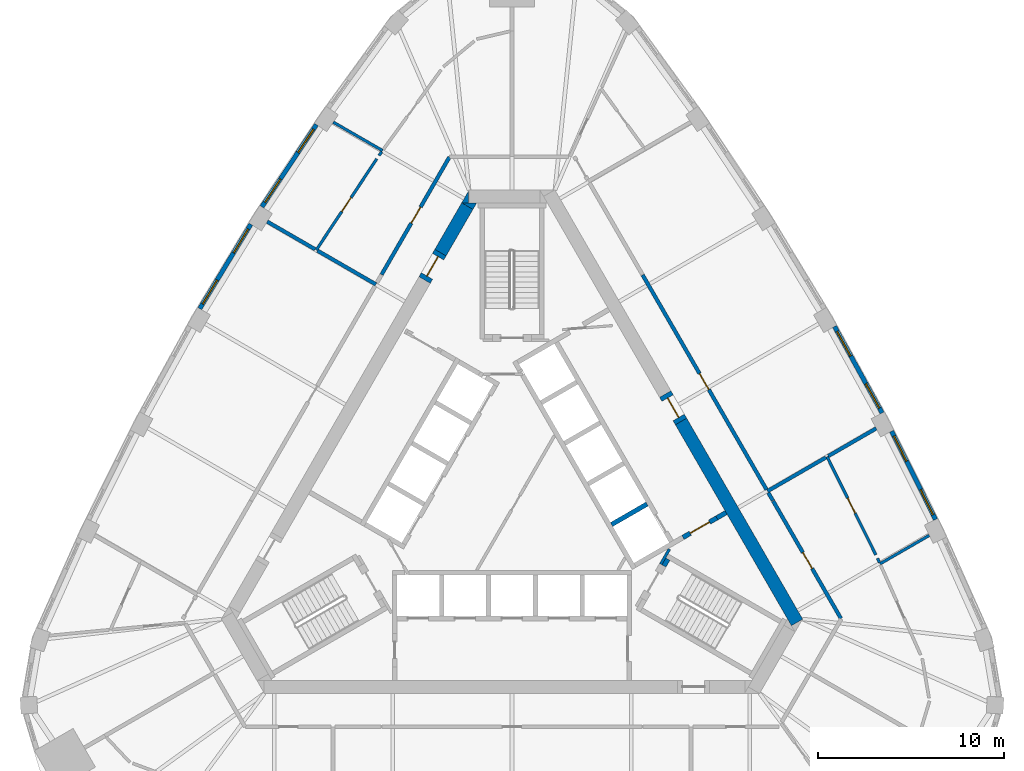
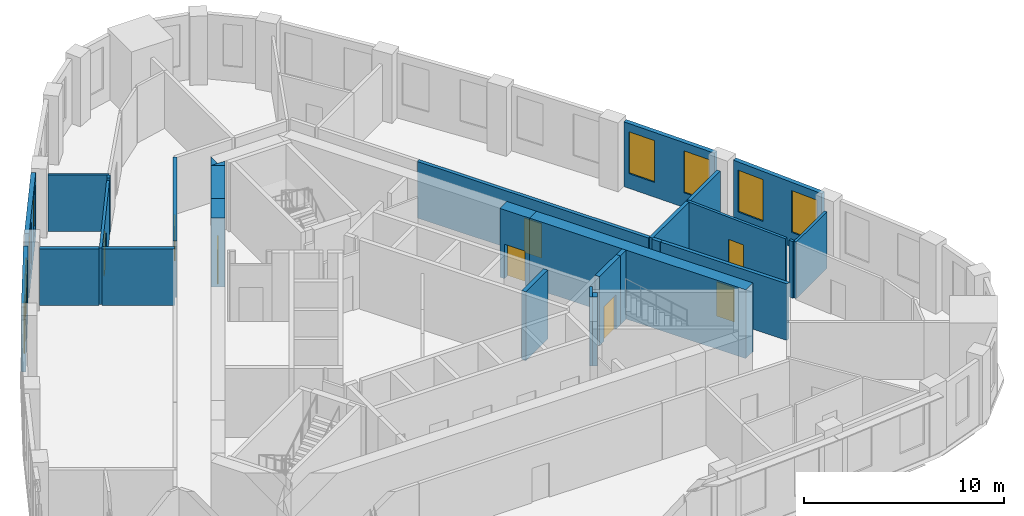
# One storey, part 7 of 10: 29 walls, 8 doors, 8 windows, 16 openings.
"""IFC4 building model written with IfcOpenShell, lengths in metres."""

from ifc_helpers import new_model, si_unit, direction, frame, frame_2d, origin, place, context, subcontext, project, spatial, polyline, rectangle, outline, extrude, material, layer, layer_set, type_object, element, fill, save


model = new_model("IFC4")

# Units and contexts
model_context = context("Model", 3, precision=1e-05, world=origin(), true_north=direction((0.0, 1.0)))
body_context = subcontext(model_context, "Body", "Model", "MODEL_VIEW")
ifc_project = project(units=[si_unit("LENGTHUNIT", "METRE"), si_unit("AREAUNIT", "SQUARE_METRE"), si_unit("VOLUMEUNIT", "CUBIC_METRE"), si_unit("PLANEANGLEUNIT", "RADIAN"), si_unit("MASSUNIT", "GRAM", prefix="KILO")], contexts=[model_context])

# Site, building, storey
site_placement = place(None, origin())
site = spatial("IfcSite", under=ifc_project, at=site_placement, CompositionType="ELEMENT")
building_placement = place(site_placement, origin())
building = spatial("IfcBuilding", under=site, at=building_placement, Name="Mestral Congress Tower", CompositionType="ELEMENT")
storey_placement = place(building_placement, frame((0.0, 0.0, 239.39990234375)))
storey = spatial("IfcBuildingStorey", under=building, at=storey_placement, Name="L56", CompositionType="ELEMENT", Elevation=239.39990234375)

# Walls
ifc_material_1 = material(Name="Concrete C60/75", Category="concrete")
ifc_layer_1 = layer(ifc_material_1, 0.699951171875)
ifc_layer_set_1 = layer_set([ifc_layer_1], Name="Concrete C60/75")
wall_type_1 = type_object("IfcWallType", Name="Core wall RC 700", PredefinedType="SOLIDWALL", material=ifc_layer_set_1)
wall_1_placement = place(storey_placement, frame((9.085205078125, 4.263916015625, 0.0), z_axis=(0.0, 0.0, 1.0), x_axis=(0.499998082512, -0.866026510844, 0.0)))
element("IfcWall", 1, at=wall_1_placement, inside=storey, type_object=wall_type_1, Name="L56 core wall", PredefinedType="SOLIDWALL", context=body_context, shape_type="SweptSolid", body=[
    extrude(rectangle(XDim=12.47216796875, YDim=0.699951171875, at=frame_2d((6.236083984375, 0.0))), origin(), (0.0, 0.0, 1.0), 4.2001953125),
])
placement = place(storey_placement, origin())
element("IfcWall", 2, at=placement, inside=storey, type_object=wall_type_1, Name="L56 core wall", PredefinedType="SOLIDWALL", context=body_context, shape_type="SweptSolid", body=[
    extrude(outline(polyline([(-2.71337890625, 16.0), (-2.325439453125, 16.672119140625), (-2.325439453125, 16.0), (-2.71337890625, 16.0)])), origin(), (0.0, 0.0, 1.0), 4.2001953125),
])
wall_3_placement = place(storey_placement, frame((-2.4033203125, 15.837158203125, 0.0), z_axis=(0.0, 0.0, 1.0), x_axis=(-0.500008214683, -0.866020660983, 0.0)))
element("IfcWall", 3, at=wall_3_placement, inside=storey, type_object=wall_type_1, Name="L56 core wall", PredefinedType="SOLIDWALL", context=body_context, shape_type="SweptSolid", body=[
    extrude(rectangle(XDim=2.88427734375, YDim=0.699951171875, at=frame_2d((1.442138671875, 0.0))), origin(), (0.0, 0.0, 1.0), 4.2001953125),
])
element("IfcWall", 4, at=placement, inside=storey, type_object=wall_type_1, Name="L56 core wall", PredefinedType="SOLIDWALL", context=body_context, shape_type="SweptSolid", body=[
    extrude(outline(polyline([(-1.9052734375, 16.0), (-2.099365234375, 15.6640625), (-2.681396484375, 16.0), (-1.9052734375, 16.0)])), origin(), (0.0, 0.0, 1.0), 4.2001953125),
])

# Wall, opening, door
wall_5_placement = place(storey_placement, frame((-4.695556640625, 11.866943359375, 0.0), z_axis=(0.0, 0.0, 1.0), x_axis=(0.499892348375, 0.866087547558, 0.0)))
wall_5 = element("IfcWall", 5, at=wall_5_placement, inside=storey, type_object=wall_type_1, Name="L56 door wall", PredefinedType="SOLIDWALL", context=body_context, shape_type="SweptSolid", body=[
    extrude(rectangle(XDim=1.699951171875, YDim=0.699951171875, at=frame_2d((0.85009765625, 0.0))), origin(), (0.0, 0.0, 1.0), 4.2001953125),
])
opening_1_placement = place(wall_5_placement, frame((0.25, 0.0, 0.0)))
opening_1 = element("IfcOpeningElement", 6, at=opening_1_placement, cuts=wall_5, Name="Opening XD2", PredefinedType="OPENING", context=body_context, shape_type="SweptSolid", body=[
    extrude(rectangle(XDim=1.199951171875, YDim=2.10009765625, at=frame_2d((0.60009765625, 1.050048828125))), frame((0.0, 0.35986328125, 0.0), z_axis=(0.0, -1.0, 0.0), x_axis=(1.0, 0.0, 0.0)), (0.0, 0.0, 1.0), 0.719970703125),
])
ifc_material_2 = material(Name="Fire-rated steel door set", Category="steel")
door_type_1 = type_object("IfcDoorType", Name="Core door XD 1200x2100", OperationType="SINGLE_SWING_LEFT", PredefinedType="DOOR", material=ifc_material_2)
door_1_placement = place(opening_1_placement, origin())
door_1 = element("IfcDoor", 7, at=door_1_placement, inside=storey, type_object=door_type_1, Name="Door XD2", OperationType="SINGLE_SWING_LEFT", OverallHeight=2.10009765625, OverallWidth=1.199951171875, PredefinedType="DOOR", context=body_context, shape_type="SweptSolid", body=[
    extrude(rectangle(XDim=1.199951171875, YDim=2.10009765625, at=frame_2d((0.60009765625, 1.050048828125))), frame((0.0, 0.02490234375, 0.0), z_axis=(0.0, -1.0, 0.0), x_axis=(1.0, 0.0, 0.0)), (0.0, 0.0, 1.0), 0.050048828125),
])
fill(opening_1, door_1)

wall_6_placement = place(storey_placement, frame((8.2353515625, 5.736083984375, 0.0), z_axis=(0.0, 0.0, 1.0), x_axis=(0.499954529098, -0.86605165483, 0.0)))
wall_6 = element("IfcWall", 8, at=wall_6_placement, inside=storey, type_object=wall_type_1, Name="L56 door wall", PredefinedType="SOLIDWALL", context=body_context, shape_type="SweptSolid", body=[
    extrude(rectangle(XDim=1.699951171875, YDim=0.699951171875, at=frame_2d((0.85009765625, 0.0))), origin(), (0.0, 0.0, 1.0), 4.2001953125),
])
opening_2_placement = place(wall_6_placement, frame((0.25, 0.0, 0.0)))
opening_2 = element("IfcOpeningElement", 9, at=opening_2_placement, cuts=wall_6, Name="Opening XDL", PredefinedType="OPENING", context=body_context, shape_type="SweptSolid", body=[
    extrude(rectangle(XDim=1.199951171875, YDim=2.10009765625, at=frame_2d((0.60009765625, 1.050048828125))), frame((0.0, 0.35986328125, 0.0), z_axis=(0.0, -1.0, 0.0), x_axis=(1.0, 0.0, 0.0)), (0.0, 0.0, 1.0), 0.719970703125),
])
door_2_placement = place(opening_2_placement, origin())
door_2 = element("IfcDoor", 10, at=door_2_placement, inside=storey, type_object=door_type_1, Name="Door XDL", OperationType="SINGLE_SWING_LEFT", OverallHeight=2.10009765625, OverallWidth=1.199951171875, PredefinedType="DOOR", context=body_context, shape_type="SweptSolid", body=[
    extrude(rectangle(XDim=1.199951171875, YDim=2.10009765625, at=frame_2d((0.60009765625, 1.050048828125))), frame((0.0, 0.02490234375, 0.0), z_axis=(0.0, -1.0, 0.0), x_axis=(1.0, 0.0, 0.0)), (0.0, 0.0, 1.0), 0.050048828125),
])
fill(opening_2, door_2)

# Wall, openings, windows
ifc_material_3 = material(Name="Precast concrete C40/50 with limestone facing", Category="masonry")
ifc_layer_2 = layer(ifc_material_3, 0.239990234375)
ifc_layer_set_2 = layer_set([ifc_layer_2], Name="Precast concrete C40/50 with limestone facing")
wall_type_2 = type_object("IfcWallType", Name="Facade stone wall 240", PredefinedType="SOLIDWALL", material=ifc_layer_set_2)
wall_7_placement = place(storey_placement, frame((22.765869140625, -1.0048828125, 0.0), z_axis=(0.0, 0.0, 1.0), x_axis=(-0.445129582031, 0.895466166419, 0.0)))
wall_7 = element("IfcWall", 11, at=wall_7_placement, inside=storey, type_object=wall_type_2, Name="Facade wall F1-01", PredefinedType="SOLIDWALL", context=body_context, shape_type="SweptSolid", body=[
    extrude(rectangle(XDim=5.29833984375, YDim=0.239990234375, at=frame_2d((2.649169921875, 0.0))), origin(), (0.0, 0.0, 1.0), 3.9501953125),
])
opening_3_placement = place(wall_7_placement, frame((0.294677734375, 0.0, 0.89990234375)))
opening_3 = element("IfcOpeningElement", 12, at=opening_3_placement, cuts=wall_7, Name="Opening W4", PredefinedType="OPENING", context=body_context, shape_type="SweptSolid", body=[
    extrude(rectangle(XDim=1.5, YDim=2.550048828125, at=frame_2d((0.75, 1.27490234375))), frame((0.0, 0.1298828125, 0.0), z_axis=(0.0, -1.0, 0.0), x_axis=(1.0, 0.0, 0.0)), (0.0, 0.0, 1.0), 0.260009765625),
])
opening_4_placement = place(wall_7_placement, frame((3.503662109375, 0.0, 0.89990234375)))
opening_4 = element("IfcOpeningElement", 13, at=opening_4_placement, cuts=wall_7, Name="Opening W4", PredefinedType="OPENING", context=body_context, shape_type="SweptSolid", body=[
    extrude(rectangle(XDim=1.5, YDim=2.550048828125, at=frame_2d((0.75, 1.27490234375))), frame((0.0, 0.1298828125, 0.0), z_axis=(0.0, -1.0, 0.0), x_axis=(1.0, 0.0, 0.0)), (0.0, 0.0, 1.0), 0.260009765625),
])
ifc_material_4 = material(Name="Clear low-emissivity double glazing", Category="glass")
window_type = type_object("IfcWindowType", Name="Facade punched window 1500 x 2550 sill 900", PartitioningType="SINGLE_PANEL", PredefinedType="WINDOW", material=ifc_material_4)
window_1_placement = place(opening_3_placement, origin())
window_1 = element("IfcWindow", 14, at=window_1_placement, inside=storey, type_object=window_type, Name="Window F1-01a", OverallHeight=2.550048828125, OverallWidth=1.5, PartitioningType="SINGLE_PANEL", PredefinedType="WINDOW", context=body_context, shape_type="SweptSolid", body=[
    extrude(rectangle(XDim=1.5, YDim=2.550048828125, at=frame_2d((0.75, 1.27490234375))), frame((0.0, 0.0400390625, 0.0), z_axis=(0.0, -1.0, 0.0), x_axis=(1.0, 0.0, 0.0)), (0.0, 0.0, 1.0), 0.06005859375),
])
fill(opening_3, window_1)
window_2_placement = place(opening_4_placement, origin())
window_2 = element("IfcWindow", 15, at=window_2_placement, inside=storey, type_object=window_type, Name="Window F1-01b", OverallHeight=2.550048828125, OverallWidth=1.5, PartitioningType="SINGLE_PANEL", PredefinedType="WINDOW", context=body_context, shape_type="SweptSolid", body=[
    extrude(rectangle(XDim=1.5, YDim=2.550048828125, at=frame_2d((0.75, 1.27490234375))), frame((0.0, 0.0400390625, 0.0), z_axis=(0.0, -1.0, 0.0), x_axis=(1.0, 0.0, 0.0)), (0.0, 0.0, 1.0), 0.06005859375),
])
fill(opening_4, window_2)

wall_8_placement = place(storey_placement, frame((19.8916015625, 4.725341796875, 0.0), z_axis=(0.0, 0.0, 1.0), x_axis=(-0.481925825015, 0.876212017256, 0.0)))
wall_8 = element("IfcWall", 16, at=wall_8_placement, inside=storey, type_object=wall_type_2, Name="Facade wall F1-02", PredefinedType="SOLIDWALL", context=body_context, shape_type="SweptSolid", body=[
    extrude(rectangle(XDim=5.298583984375, YDim=0.239990234375, at=frame_2d((2.6494140625, 0.0))), origin(), (0.0, 0.0, 1.0), 3.9501953125),
])
opening_5_placement = place(wall_8_placement, frame((0.294677734375, 0.0, 0.89990234375)))
opening_5 = element("IfcOpeningElement", 17, at=opening_5_placement, cuts=wall_8, Name="Opening W4", PredefinedType="OPENING", context=body_context, shape_type="SweptSolid", body=[
    extrude(rectangle(XDim=1.5, YDim=2.550048828125, at=frame_2d((0.75, 1.27490234375))), frame((0.0, 0.1298828125, 0.0), z_axis=(0.0, -1.0, 0.0), x_axis=(1.0, 0.0, 0.0)), (0.0, 0.0, 1.0), 0.260009765625),
])
opening_6_placement = place(wall_8_placement, frame((3.503662109375, 0.0, 0.89990234375)))
opening_6 = element("IfcOpeningElement", 18, at=opening_6_placement, cuts=wall_8, Name="Opening W4", PredefinedType="OPENING", context=body_context, shape_type="SweptSolid", body=[
    extrude(rectangle(XDim=1.5, YDim=2.550048828125, at=frame_2d((0.75, 1.27490234375))), frame((0.0, 0.1298828125, 0.0), z_axis=(0.0, -1.0, 0.0), x_axis=(1.0, 0.0, 0.0)), (0.0, 0.0, 1.0), 0.260009765625),
])
window_3_placement = place(opening_5_placement, origin())
window_3 = element("IfcWindow", 19, at=window_3_placement, inside=storey, type_object=window_type, Name="Window F1-02a", OverallHeight=2.550048828125, OverallWidth=1.5, PartitioningType="SINGLE_PANEL", PredefinedType="WINDOW", context=body_context, shape_type="SweptSolid", body=[
    extrude(rectangle(XDim=1.5, YDim=2.550048828125, at=frame_2d((0.75, 1.27490234375))), frame((0.0, 0.0400390625, 0.0), z_axis=(0.0, -1.0, 0.0), x_axis=(1.0, 0.0, 0.0)), (0.0, 0.0, 1.0), 0.06005859375),
])
fill(opening_5, window_3)
window_4_placement = place(opening_6_placement, origin())
window_4 = element("IfcWindow", 20, at=window_4_placement, inside=storey, type_object=window_type, Name="Window F1-02b", OverallHeight=2.550048828125, OverallWidth=1.5, PartitioningType="SINGLE_PANEL", PredefinedType="WINDOW", context=body_context, shape_type="SweptSolid", body=[
    extrude(rectangle(XDim=1.5, YDim=2.550048828125, at=frame_2d((0.75, 1.27490234375))), frame((0.0, 0.0400390625, 0.0), z_axis=(0.0, -1.0, 0.0), x_axis=(1.0, 0.0, 0.0)), (0.0, 0.0, 1.0), 0.06005859375),
])
fill(opening_6, window_4)

wall_9_placement = place(storey_placement, frame((-10.5126953125, 20.21826171875, 0.0), z_axis=(0.0, 0.0, 1.0), x_axis=(-0.552901821755, -0.833246407433, 0.0)))
wall_9 = element("IfcWall", 21, at=wall_9_placement, inside=storey, type_object=wall_type_2, Name="Facade wall F2-01", PredefinedType="SOLIDWALL", context=body_context, shape_type="SweptSolid", body=[
    extrude(rectangle(XDim=5.29833984375, YDim=0.239990234375, at=frame_2d((2.649169921875, 0.0))), origin(), (0.0, 0.0, 1.0), 3.9501953125),
])
opening_7_placement = place(wall_9_placement, frame((0.29443359375, 0.0, 0.89990234375)))
opening_7 = element("IfcOpeningElement", 22, at=opening_7_placement, cuts=wall_9, Name="Opening W4", PredefinedType="OPENING", context=body_context, shape_type="SweptSolid", body=[
    extrude(rectangle(XDim=1.5, YDim=2.550048828125, at=frame_2d((0.75, 1.27490234375))), frame((0.0, 0.1298828125, 0.0), z_axis=(0.0, -1.0, 0.0), x_axis=(1.0, 0.0, 0.0)), (0.0, 0.0, 1.0), 0.260009765625),
])
opening_8_placement = place(wall_9_placement, frame((3.503662109375, 0.0, 0.89990234375)))
opening_8 = element("IfcOpeningElement", 23, at=opening_8_placement, cuts=wall_9, Name="Opening W4", PredefinedType="OPENING", context=body_context, shape_type="SweptSolid", body=[
    extrude(rectangle(XDim=1.5, YDim=2.550048828125, at=frame_2d((0.75, 1.27490234375))), frame((0.0, 0.1298828125, 0.0), z_axis=(0.0, -1.0, 0.0), x_axis=(1.0, 0.0, 0.0)), (0.0, 0.0, 1.0), 0.260009765625),
])
window_5_placement = place(opening_7_placement, origin())
window_5 = element("IfcWindow", 24, at=window_5_placement, inside=storey, type_object=window_type, Name="Window F2-01a", OverallHeight=2.550048828125, OverallWidth=1.5, PartitioningType="SINGLE_PANEL", PredefinedType="WINDOW", context=body_context, shape_type="SweptSolid", body=[
    extrude(rectangle(XDim=1.5, YDim=2.550048828125, at=frame_2d((0.75, 1.27490234375))), frame((0.0, 0.0400390625, 0.0), z_axis=(0.0, -1.0, 0.0), x_axis=(1.0, 0.0, 0.0)), (0.0, 0.0, 1.0), 0.06005859375),
])
fill(opening_7, window_5)
window_6_placement = place(opening_8_placement, origin())
window_6 = element("IfcWindow", 25, at=window_6_placement, inside=storey, type_object=window_type, Name="Window F2-01b", OverallHeight=2.550048828125, OverallWidth=1.5, PartitioningType="SINGLE_PANEL", PredefinedType="WINDOW", context=body_context, shape_type="SweptSolid", body=[
    extrude(rectangle(XDim=1.5, YDim=2.550048828125, at=frame_2d((0.75, 1.27490234375))), frame((0.0, 0.0400390625, 0.0), z_axis=(0.0, -1.0, 0.0), x_axis=(1.0, 0.0, 0.0)), (0.0, 0.0, 1.0), 0.06005859375),
])
fill(opening_8, window_6)

wall_10_placement = place(storey_placement, frame((-14.0380859375, 14.86376953125, 0.0), z_axis=(0.0, 0.0, 1.0), x_axis=(-0.517846166225, -0.855473756538, 0.0)))
wall_10 = element("IfcWall", 26, at=wall_10_placement, inside=storey, type_object=wall_type_2, Name="Facade wall F2-02", PredefinedType="SOLIDWALL", context=body_context, shape_type="SweptSolid", body=[
    extrude(rectangle(XDim=5.298095703125, YDim=0.239990234375, at=frame_2d((2.64892578125, 0.0))), origin(), (0.0, 0.0, 1.0), 3.9501953125),
])
opening_9_placement = place(wall_10_placement, frame((0.29443359375, 0.0, 0.89990234375)))
opening_9 = element("IfcOpeningElement", 27, at=opening_9_placement, cuts=wall_10, Name="Opening W4", PredefinedType="OPENING", context=body_context, shape_type="SweptSolid", body=[
    extrude(rectangle(XDim=1.5, YDim=2.550048828125, at=frame_2d((0.75, 1.27490234375))), frame((0.0, 0.1298828125, 0.0), z_axis=(0.0, -1.0, 0.0), x_axis=(1.0, 0.0, 0.0)), (0.0, 0.0, 1.0), 0.260009765625),
])
opening_10_placement = place(wall_10_placement, frame((3.503662109375, 0.0, 0.89990234375)))
opening_10 = element("IfcOpeningElement", 28, at=opening_10_placement, cuts=wall_10, Name="Opening W4", PredefinedType="OPENING", context=body_context, shape_type="SweptSolid", body=[
    extrude(rectangle(XDim=1.5, YDim=2.550048828125, at=frame_2d((0.75, 1.27490234375))), frame((0.0, 0.1298828125, 0.0), z_axis=(0.0, -1.0, 0.0), x_axis=(1.0, 0.0, 0.0)), (0.0, 0.0, 1.0), 0.260009765625),
])
window_7_placement = place(opening_9_placement, origin())
window_7 = element("IfcWindow", 29, at=window_7_placement, inside=storey, type_object=window_type, Name="Window F2-02a", OverallHeight=2.550048828125, OverallWidth=1.5, PartitioningType="SINGLE_PANEL", PredefinedType="WINDOW", context=body_context, shape_type="SweptSolid", body=[
    extrude(rectangle(XDim=1.5, YDim=2.550048828125, at=frame_2d((0.75, 1.27490234375))), frame((0.0, 0.0400390625, 0.0), z_axis=(0.0, -1.0, 0.0), x_axis=(1.0, 0.0, 0.0)), (0.0, 0.0, 1.0), 0.06005859375),
])
fill(opening_9, window_7)
window_8_placement = place(opening_10_placement, origin())
window_8 = element("IfcWindow", 30, at=window_8_placement, inside=storey, type_object=window_type, Name="Window F2-02b", OverallHeight=2.550048828125, OverallWidth=1.5, PartitioningType="SINGLE_PANEL", PredefinedType="WINDOW", context=body_context, shape_type="SweptSolid", body=[
    extrude(rectangle(XDim=1.5, YDim=2.550048828125, at=frame_2d((0.75, 1.27490234375))), frame((0.0, 0.0400390625, 0.0), z_axis=(0.0, -1.0, 0.0), x_axis=(1.0, 0.0, 0.0)), (0.0, 0.0, 1.0), 0.06005859375),
])
fill(opening_10, window_8)

# Walls
ifc_material_5 = material(Name="Plasterboard partition on steel studs", Category="steel")
ifc_layer_3 = layer(ifc_material_5, 0.14990234375)
ifc_layer_set_3 = layer_set([ifc_layer_3], Name="Plasterboard partition on steel studs")
wall_type_3 = type_object("IfcWallType", Name="Office partition 150", PredefinedType="PARTITIONING", material=ifc_layer_set_3)
wall_11_placement = place(storey_placement, frame((19.7802734375, -3.385986328125, 0.0), z_axis=(0.0, 0.0, 1.0), x_axis=(0.866063280451, 0.49993438995, 0.0)))
element("IfcWall", 31, at=wall_11_placement, inside=storey, type_object=wall_type_3, Name="Partition", PredefinedType="PARTITIONING", context=body_context, shape_type="SweptSolid", body=[
    extrude(rectangle(XDim=3.05810546875, YDim=0.14990234375, at=frame_2d((1.529052734375, 0.0))), origin(), (0.0, 0.0, 1.0), 3.4501953125),
])
wall_12_placement = place(storey_placement, frame((19.74951171875, -3.3173828125, 0.0), z_axis=(0.0, 0.0, 1.0), x_axis=(-0.406774979688, 0.913528388119, 0.0)))
element("IfcWall", 32, at=wall_12_placement, inside=storey, type_object=wall_type_3, Name="Partition", PredefinedType="PARTITIONING", context=body_context, shape_type="SweptSolid", body=[
    extrude(rectangle(XDim=0.2490234375, YDim=0.14990234375, at=frame_2d((0.12451171875, 0.0))), origin(), (0.0, 0.0, 1.0), 3.4501953125),
])

# Wall, opening, door
wall_13_placement = place(storey_placement, frame((16.934814453125, 2.367919921875, 0.0), z_axis=(0.0, 0.0, 1.0), x_axis=(0.445153322039, -0.895454365045, 0.0)))
wall_13 = element("IfcWall", 33, at=wall_13_placement, inside=storey, type_object=wall_type_3, Name="Partition", PredefinedType="PARTITIONING", context=body_context, shape_type="SweptSolid", body=[
    extrude(rectangle(XDim=5.880859375, YDim=0.14990234375, at=frame_2d((2.9404296875, 0.0))), origin(), (0.0, 0.0, 1.0), 3.4501953125),
])
opening_11_placement = place(wall_13_placement, frame((2.480712890625, 0.0, 0.0)))
opening_11 = element("IfcOpeningElement", 34, at=opening_11_placement, cuts=wall_13, Name="Opening O09-006", PredefinedType="OPENING", context=body_context, shape_type="SweptSolid", body=[
    extrude(rectangle(XDim=0.89990234375, YDim=2.10009765625, at=frame_2d((0.449951171875, 1.050048828125))), frame((0.0, 0.0849609375, 0.0), z_axis=(0.0, -1.0, 0.0), x_axis=(1.0, 0.0, 0.0)), (0.0, 0.0, 1.0), 0.169921875),
])
ifc_material_6 = material(Name="Timber door set", Category="wood")
door_type_2 = type_object("IfcDoorType", Name="Office door 900x2100", OperationType="SINGLE_SWING_LEFT", PredefinedType="DOOR", material=ifc_material_6)
door_3_placement = place(opening_11_placement, origin())
door_3 = element("IfcDoor", 35, at=door_3_placement, inside=storey, type_object=door_type_2, Name="Door O09-006", OperationType="SINGLE_SWING_LEFT", OverallHeight=2.10009765625, OverallWidth=0.89990234375, PredefinedType="DOOR", context=body_context, shape_type="SweptSolid", body=[
    extrude(rectangle(XDim=0.89990234375, YDim=2.10009765625, at=frame_2d((0.449951171875, 1.050048828125))), frame((0.0, 0.02490234375, 0.0), z_axis=(0.0, -1.0, 0.0), x_axis=(1.0, 0.0, 0.0)), (0.0, 0.0, 1.0), 0.050048828125),
])
fill(opening_11, door_3)

# Walls
wall_14_placement = place(storey_placement, frame((-6.957763671875, 18.8232421875, 0.0), z_axis=(0.0, 0.0, 1.0), x_axis=(-0.866008752819, 0.500028839209, 0.0)))
element("IfcWall", 36, at=wall_14_placement, inside=storey, type_object=wall_type_3, Name="Partition", PredefinedType="PARTITIONING", context=body_context, shape_type="SweptSolid", body=[
    extrude(rectangle(XDim=3.057861328125, YDim=0.14990234375, at=frame_2d((1.52880859375, 0.0))), origin(), (0.0, 0.0, 1.0), 3.4501953125),
])
wall_15_placement = place(storey_placement, frame((-7.001953125, 18.76220703125, 0.0), z_axis=(0.0, 0.0, 1.0), x_axis=(-0.587529982795, -0.809202397004, 0.0)))
element("IfcWall", 37, at=wall_15_placement, inside=storey, type_object=wall_type_3, Name="Partition", PredefinedType="PARTITIONING", context=body_context, shape_type="SweptSolid", body=[
    extrude(rectangle(XDim=0.2490234375, YDim=0.14990234375, at=frame_2d((0.12451171875, 0.0))), origin(), (0.0, 0.0, 1.0), 3.4501953125),
])

# Wall, opening, door
wall_16_placement = place(storey_placement, frame((-10.51806640625, 13.482177734375, 0.0), z_axis=(0.0, 0.0, 1.0), x_axis=(0.552916907591, 0.833236397008, 0.0)))
wall_16 = element("IfcWall", 38, at=wall_16_placement, inside=storey, type_object=wall_type_3, Name="Partition", PredefinedType="PARTITIONING", context=body_context, shape_type="SweptSolid", body=[
    extrude(rectangle(XDim=5.880615234375, YDim=0.14990234375, at=frame_2d((2.9404296875, 0.0))), origin(), (0.0, 0.0, 1.0), 3.4501953125),
])
opening_12_placement = place(wall_16_placement, frame((2.480712890625, 0.0, 0.0)))
opening_12 = element("IfcOpeningElement", 39, at=opening_12_placement, cuts=wall_16, Name="Opening O09-013", PredefinedType="OPENING", context=body_context, shape_type="SweptSolid", body=[
    extrude(rectangle(XDim=0.89990234375, YDim=2.10009765625, at=frame_2d((0.449951171875, 1.050048828125))), frame((0.0, 0.0849609375, 0.0), z_axis=(0.0, -1.0, 0.0), x_axis=(1.0, 0.0, 0.0)), (0.0, 0.0, 1.0), 0.169921875),
])
door_4_placement = place(opening_12_placement, origin())
door_4 = element("IfcDoor", 40, at=door_4_placement, inside=storey, type_object=door_type_2, Name="Door O09-013", OperationType="SINGLE_SWING_LEFT", OverallHeight=2.10009765625, OverallWidth=0.89990234375, PredefinedType="DOOR", context=body_context, shape_type="SweptSolid", body=[
    extrude(rectangle(XDim=0.89990234375, YDim=2.10009765625, at=frame_2d((0.449951171875, 1.050048828125))), frame((0.0, 0.02490234375, 0.0), z_axis=(0.0, -1.0, 0.0), x_axis=(1.0, 0.0, 0.0)), (0.0, 0.0, 1.0), 0.050048828125),
])
fill(opening_12, door_4)

# Walls
ifc_material_7 = material(Name="Dense masonry wall, plastered", Category="masonry")
ifc_layer_4 = layer(ifc_material_7, 0.199951171875)
ifc_layer_set_4 = layer_set([ifc_layer_4], Name="Dense masonry wall, plastered")
wall_type_4 = type_object("IfcWallType", Name="Office tenancy wall 200", PredefinedType="PARTITIONING", material=ifc_layer_set_4)
wall_17_placement = place(storey_placement, frame((17.0, 2.405517578125, 0.0), z_axis=(0.0, 0.0, 1.0), x_axis=(0.86605561342, 0.499947671726, 0.0)))
element("IfcWall", 41, at=wall_17_placement, inside=storey, type_object=wall_type_4, Name="Tenancy wall", PredefinedType="PARTITIONING", context=body_context, shape_type="SweptSolid", body=[
    extrude(rectangle(XDim=2.971435546875, YDim=0.199951171875, at=frame_2d((1.48583984375, 0.0))), origin(), (0.0, 0.0, 1.0), 3.4501953125),
])
wall_18_placement = place(storey_placement, frame((13.730712890625, 0.517822265625, 0.0), z_axis=(0.0, 0.0, 1.0), x_axis=(0.8660128559, 0.500021732944, 0.0)))
element("IfcWall", 42, at=wall_18_placement, inside=storey, type_object=wall_type_4, Name="Tenancy wall", PredefinedType="PARTITIONING", context=body_context, shape_type="SweptSolid", body=[
    extrude(rectangle(XDim=3.624755859375, YDim=0.199951171875, at=frame_2d((1.8125, 0.0))), origin(), (0.0, 0.0, 1.0), 3.4501953125),
])
wall_19_placement = place(storey_placement, frame((14.022216796875, 0.0126953125, 0.0), z_axis=(0.0, 0.0, 1.0), x_axis=(-0.500159754115, 0.865933150054, 0.0)))
element("IfcWall", 43, at=wall_19_placement, inside=storey, type_object=wall_type_4, Name="Tenancy wall", PredefinedType="PARTITIONING", context=body_context, shape_type="SweptSolid", body=[
    extrude(rectangle(XDim=0.483154296875, YDim=0.199951171875, at=frame_2d((0.24169921875, 0.0))), origin(), (0.0, 0.0, 1.0), 3.4501953125),
])

# Wall, opening, door
wall_20_placement = place(storey_placement, frame((17.680908203125, -6.323974609375, 0.0), z_axis=(0.0, 0.0, 1.0), x_axis=(-0.50002695829, 0.866009838849, 0.0)))
wall_20 = element("IfcWall", 44, at=wall_20_placement, inside=storey, type_object=wall_type_4, Name="Tenancy wall", PredefinedType="PARTITIONING", context=body_context, shape_type="SweptSolid", body=[
    extrude(rectangle(XDim=7.287109375, YDim=0.199951171875, at=frame_2d((3.6435546875, 0.0))), origin(), (0.0, 0.0, 1.0), 3.4501953125),
])
opening_13_placement = place(wall_20_placement, frame((3.10009765625, 0.0, 0.0)))
opening_13 = element("IfcOpeningElement", 45, at=opening_13_placement, cuts=wall_20, Name="Opening O09-007", PredefinedType="OPENING", context=body_context, shape_type="SweptSolid", body=[
    extrude(rectangle(XDim=1.0, YDim=2.10009765625, at=frame_2d((0.5, 1.050048828125))), frame((0.0, 0.10986328125, 0.0), z_axis=(0.0, -1.0, 0.0), x_axis=(1.0, 0.0, 0.0)), (0.0, 0.0, 1.0), 0.219970703125),
])
ifc_material_8 = material(Name="Fire-rated timber door set", Category="wood")
door_type_3 = type_object("IfcDoorType", Name="Office tenancy entrance door 1000x2100", OperationType="SINGLE_SWING_LEFT", PredefinedType="DOOR", material=ifc_material_8)
door_5_placement = place(opening_13_placement, origin())
door_5 = element("IfcDoor", 46, at=door_5_placement, inside=storey, type_object=door_type_3, Name="Door O09-007", OperationType="SINGLE_SWING_LEFT", OverallHeight=2.10009765625, OverallWidth=1.0, PredefinedType="DOOR", context=body_context, shape_type="SweptSolid", body=[
    extrude(rectangle(XDim=1.0, YDim=2.10009765625, at=frame_2d((0.5, 1.050048828125))), frame((0.0, 0.02490234375, 0.0), z_axis=(0.0, -1.0, 0.0), x_axis=(1.0, 0.0, 0.0)), (0.0, 0.0, 1.0), 0.050048828125),
])
fill(opening_13, door_5)

wall_21_placement = place(storey_placement, frame((13.6806640625, 0.6044921875, 0.0), z_axis=(0.0, 0.0, 1.0), x_axis=(-0.500001759768, 0.86602438778, 0.0)))
wall_21 = element("IfcWall", 47, at=wall_21_placement, inside=storey, type_object=wall_type_4, Name="Tenancy wall", PredefinedType="PARTITIONING", context=body_context, shape_type="SweptSolid", body=[
    extrude(rectangle(XDim=13.31689453125, YDim=0.199951171875, at=frame_2d((6.658447265625, 0.0))), origin(), (0.0, 0.0, 1.0), 3.4501953125),
])
opening_14_placement = place(wall_21_placement, frame((6.199951171875, 0.0, 0.0)))
opening_14 = element("IfcOpeningElement", 48, at=opening_14_placement, cuts=wall_21, Name="Opening O09-008", PredefinedType="OPENING", context=body_context, shape_type="SweptSolid", body=[
    extrude(rectangle(XDim=1.0, YDim=2.10009765625, at=frame_2d((0.5, 1.050048828125))), frame((0.0, 0.10986328125, 0.0), z_axis=(0.0, -1.0, 0.0), x_axis=(1.0, 0.0, 0.0)), (0.0, 0.0, 1.0), 0.219970703125),
])
door_6_placement = place(opening_14_placement, origin())
door_6 = element("IfcDoor", 49, at=door_6_placement, inside=storey, type_object=door_type_3, Name="Door O09-008", OperationType="SINGLE_SWING_RIGHT", OverallHeight=2.10009765625, OverallWidth=1.0, PredefinedType="DOOR", context=body_context, shape_type="SweptSolid", body=[
    extrude(rectangle(XDim=1.0, YDim=2.10009765625, at=frame_2d((0.5, 1.050048828125))), frame((0.0, 0.02490234375, 0.0), z_axis=(0.0, -1.0, 0.0), x_axis=(1.0, 0.0, 0.0)), (0.0, 0.0, 1.0), 0.050048828125),
])
fill(opening_14, door_6)

# Walls
wall_22_placement = place(storey_placement, frame((-10.583251953125, 13.519775390625, 0.0), z_axis=(0.0, 0.0, 1.0), x_axis=(-0.865999496279, 0.500044870432, 0.0)))
element("IfcWall", 50, at=wall_22_placement, inside=storey, type_object=wall_type_4, Name="Tenancy wall", PredefinedType="PARTITIONING", context=body_context, shape_type="SweptSolid", body=[
    extrude(rectangle(XDim=2.971435546875, YDim=0.199951171875, at=frame_2d((1.48583984375, 0.0))), origin(), (0.0, 0.0, 1.0), 3.4501953125),
])
wall_23_placement = place(storey_placement, frame((-7.313720703125, 11.632080078125, 0.0), z_axis=(0.0, 0.0, 1.0), x_axis=(-0.8660128559, 0.500021732944, 0.0)))
element("IfcWall", 51, at=wall_23_placement, inside=storey, type_object=wall_type_4, Name="Tenancy wall", PredefinedType="PARTITIONING", context=body_context, shape_type="SweptSolid", body=[
    extrude(rectangle(XDim=3.624755859375, YDim=0.199951171875, at=frame_2d((1.8125, 0.0))), origin(), (0.0, 0.0, 1.0), 3.4501953125),
])

# Wall, opening, door
wall_24_placement = place(storey_placement, frame((-3.363525390625, 18.47412109375, 0.0), z_axis=(0.0, 0.0, 1.0), x_axis=(-0.499987324581, -0.866032721818, 0.0)))
wall_24 = element("IfcWall", 52, at=wall_24_placement, inside=storey, type_object=wall_type_4, Name="Tenancy wall", PredefinedType="PARTITIONING", context=body_context, shape_type="SweptSolid", body=[
    extrude(rectangle(XDim=7.287353515625, YDim=0.199951171875, at=frame_2d((3.6435546875, 0.0))), origin(), (0.0, 0.0, 1.0), 3.4501953125),
])
opening_15_placement = place(wall_24_placement, frame((3.10009765625, 0.0, 0.0)))
opening_15 = element("IfcOpeningElement", 53, at=opening_15_placement, cuts=wall_24, Name="Opening O09-014", PredefinedType="OPENING", context=body_context, shape_type="SweptSolid", body=[
    extrude(rectangle(XDim=1.0, YDim=2.10009765625, at=frame_2d((0.5, 1.050048828125))), frame((0.0, 0.10986328125, 0.0), z_axis=(0.0, -1.0, 0.0), x_axis=(1.0, 0.0, 0.0)), (0.0, 0.0, 1.0), 0.219970703125),
])
door_7_placement = place(opening_15_placement, origin())
door_7 = element("IfcDoor", 54, at=door_7_placement, inside=storey, type_object=door_type_3, Name="Door O09-014", OperationType="SINGLE_SWING_LEFT", OverallHeight=2.10009765625, OverallWidth=1.0, PredefinedType="DOOR", context=body_context, shape_type="SweptSolid", body=[
    extrude(rectangle(XDim=1.0, YDim=2.10009765625, at=frame_2d((0.5, 1.050048828125))), frame((0.0, 0.02490234375, 0.0), z_axis=(0.0, -1.0, 0.0), x_axis=(1.0, 0.0, 0.0)), (0.0, 0.0, 1.0), 0.050048828125),
])
fill(opening_15, door_7)

# Walls
ifc_layer_5 = layer(ifc_material_1, 0.25)
ifc_layer_set_5 = layer_set([ifc_layer_5], Name="Concrete C60/75")
wall_type_5 = type_object("IfcWallType", Name="Shaft wall RC 250", PredefinedType="SOLIDWALL", material=ifc_layer_set_5)
wall_25_placement = place(storey_placement, frame((11.507080078125, -0.631103515625, 0.0), z_axis=(0.0, 0.0, 1.0), x_axis=(-0.866093731455, -0.499881634324, 0.0)))
element("IfcWall", 55, at=wall_25_placement, inside=storey, type_object=wall_type_5, Name="L56 core wall", PredefinedType="SOLIDWALL", context=body_context, shape_type="SweptSolid", body=[
    extrude(rectangle(XDim=0.575439453125, YDim=0.25, at=frame_2d((0.28759765625, 0.0))), origin(), (0.0, 0.0, 1.0), 4.2001953125),
])
wall_26_placement = place(storey_placement, frame((5.35400390625, -1.273681640625, 0.0), z_axis=(0.0, 0.0, 1.0), x_axis=(0.866008176907, 0.50002983664, 0.0)))
element("IfcWall", 56, at=wall_26_placement, inside=storey, type_object=wall_type_5, Name="L56 core wall", PredefinedType="SOLIDWALL", context=body_context, shape_type="SweptSolid", body=[
    extrude(rectangle(XDim=2.199951171875, YDim=0.25, at=frame_2d((1.10009765625, 0.0))), origin(), (0.0, 0.0, 1.0), 4.2001953125),
])

# Wall, opening, door
wall_27_placement = place(storey_placement, frame((11.0087890625, -0.918701171875, 0.0), z_axis=(0.0, 0.0, 1.0), x_axis=(-0.866059744384, -0.49994051562, 0.0)))
wall_27 = element("IfcWall", 57, at=wall_27_placement, inside=storey, type_object=wall_type_5, Name="L56 door wall", PredefinedType="SOLIDWALL", context=body_context, shape_type="SweptSolid", body=[
    extrude(rectangle(XDim=2.099853515625, YDim=0.25, at=frame_2d((1.0498046875, 0.0))), origin(), (0.0, 0.0, 1.0), 4.2001953125),
])
opening_16_placement = place(wall_27_placement, frame((0.449951171875, 0.0, 0.0)))
opening_16 = element("IfcOpeningElement", 58, at=opening_16_placement, cuts=wall_27, Name="Opening LB1-PX10", PredefinedType="OPENING", context=body_context, shape_type="SweptSolid", body=[
    extrude(rectangle(XDim=1.199951171875, YDim=2.10009765625, at=frame_2d((0.60009765625, 1.050048828125))), frame((0.0, 0.135009765625, 0.0), z_axis=(0.0, -1.0, 0.0), x_axis=(1.0, 0.0, 0.0)), (0.0, 0.0, 1.0), 0.27001953125),
])
door_type_4 = type_object("IfcDoorType", Name="Core door LB 1200x2100", OperationType="SINGLE_SWING_LEFT", PredefinedType="DOOR", material=ifc_material_2)
door_8_placement = place(opening_16_placement, origin())
door_8 = element("IfcDoor", 59, at=door_8_placement, inside=storey, type_object=door_type_4, Name="Door LB1-PX10", OperationType="SINGLE_SWING_LEFT", OverallHeight=2.10009765625, OverallWidth=1.199951171875, PredefinedType="DOOR", context=body_context, shape_type="SweptSolid", body=[
    extrude(rectangle(XDim=1.199951171875, YDim=2.10009765625, at=frame_2d((0.60009765625, 1.050048828125))), frame((0.0, 0.02490234375, 0.0), z_axis=(0.0, -1.0, 0.0), x_axis=(1.0, 0.0, 0.0)), (0.0, 0.0, 1.0), 0.050048828125),
])
fill(opening_16, door_8)

# Walls
ifc_layer_6 = layer(ifc_material_1, 0.14990234375)
ifc_layer_set_6 = layer_set([ifc_layer_6], Name="Concrete C60/75")
wall_type_6 = type_object("IfcWallType", Name="Shaft wall RC 250 door-wall 150", PredefinedType="SOLIDWALL", material=ifc_layer_set_6)
wall_28_placement = place(storey_placement, frame((8.459228515625, -2.59912109375, 0.0), z_axis=(0.0, 0.0, 1.0), x_axis=(-0.500041054325, -0.866001699761, 0.0)))
element("IfcWall", 60, at=wall_28_placement, inside=storey, type_object=wall_type_6, Name="L56 core wall", PredefinedType="PARTITIONING", context=body_context, shape_type="SweptSolid", body=[
    extrude(rectangle(XDim=0.9287109375, YDim=0.14990234375, at=frame_2d((0.46435546875, 0.0))), origin(), (0.0, 0.0, 1.0), 4.2001953125),
])
ifc_layer_7 = layer(ifc_material_1, 0.25)
ifc_layer_set_7 = layer_set([ifc_layer_7], Name="Concrete C60/75")
wall_type_7 = type_object("IfcWallType", Name="Stair wall RC 250", PredefinedType="SOLIDWALL", material=ifc_layer_set_7)
wall_29_placement = place(storey_placement, frame((8.167724609375, -3.503173828125, 0.0), z_axis=(0.0, 0.0, 1.0), x_axis=(0.49972245349, 0.866185586049, 0.0)))
element("IfcWall", 61, at=wall_29_placement, inside=storey, type_object=wall_type_7, Name="L56 core wall", PredefinedType="SOLIDWALL", context=body_context, shape_type="SweptSolid", body=[
    extrude(rectangle(XDim=0.425048828125, YDim=0.25, at=frame_2d((0.21240234375, 0.0))), origin(), (0.0, 0.0, 1.0), 4.2001953125),
])

save(model, "model.ifc")
